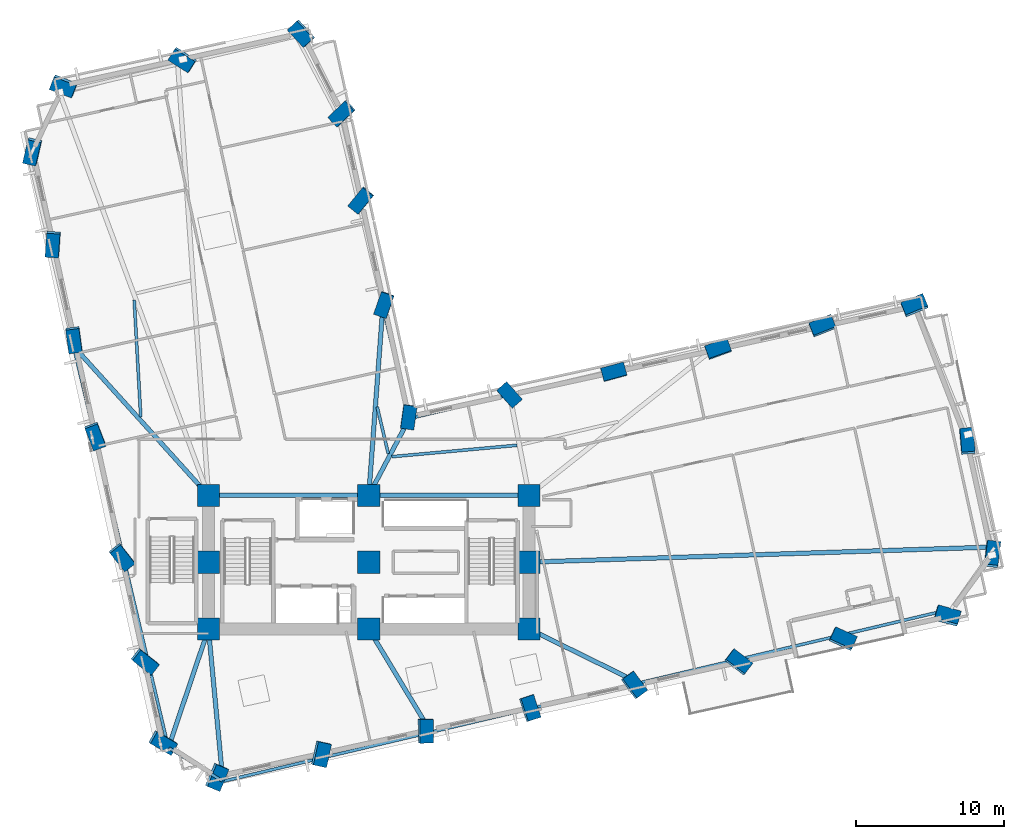
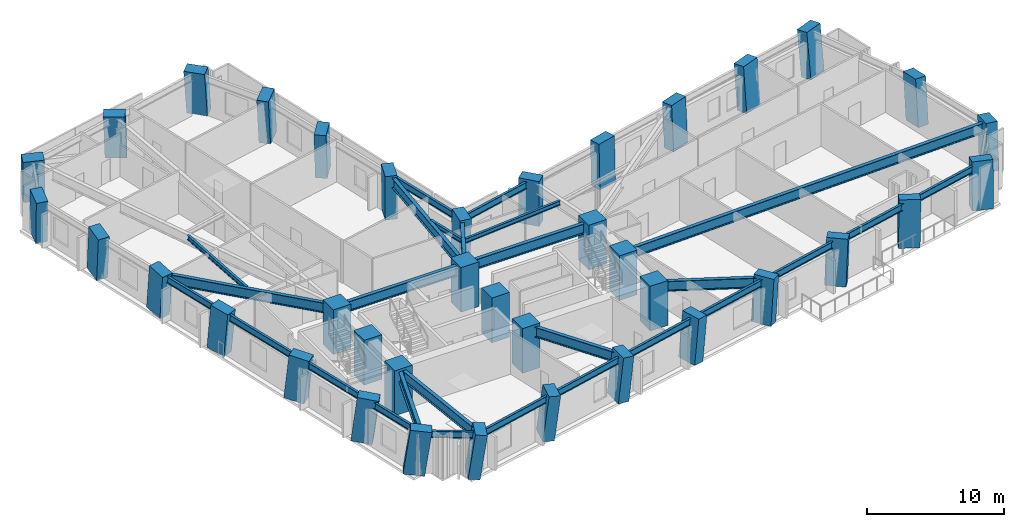
# One storey, part 1 of 14: 38 columns, 27 beams.
"""IFC4 building model written with IfcOpenShell, lengths in metres."""

from ifc_helpers import new_model, si_unit, direction, frame, origin, origin_2d, place, context, subcontext, project, spatial, rectangle, i_section, extrude, material, material_profile, profile_set, type_object, element, save


model = new_model("IFC4")

# Units and contexts
model_context = context("Model", 3, precision=1e-05, world=origin(), true_north=direction((0.0, 1.0)))
body_context = subcontext(model_context, "Body", "Model", "MODEL_VIEW")
ifc_project = project(units=[si_unit("LENGTHUNIT", "METRE"), si_unit("AREAUNIT", "SQUARE_METRE"), si_unit("VOLUMEUNIT", "CUBIC_METRE"), si_unit("PLANEANGLEUNIT", "RADIAN"), si_unit("MASSUNIT", "GRAM", prefix="KILO")], contexts=[model_context])

# Site, building, storey
site_placement = place(None, origin())
site = spatial("IfcSite", under=ifc_project, at=site_placement, CompositionType="ELEMENT")
building_placement = place(site_placement, origin())
building = spatial("IfcBuilding", under=site, at=building_placement, Name="Gaonmaruhae Medical Tower", CompositionType="ELEMENT")
storey_placement = place(building_placement, frame((0.0, 0.0, 75.0)))
storey = spatial("IfcBuildingStorey", under=building, at=storey_placement, Name="L17", CompositionType="ELEMENT", Elevation=75.0)

# Columns
ifc_material_1 = material(Name="Concrete C60/75", Category="concrete")
ifc_material_profile_1 = material_profile(ifc_material_1, rectangle(XDim=1.5, YDim=1.5, at=origin_2d()), Name="RC-1500x1500")
ifc_profile_set_1 = profile_set([ifc_material_profile_1], Name="Concrete C60/75")
column_type_1 = type_object("IfcColumnType", Name="CC-02 Zone 1 Core Column (RC-1500x1500)", PredefinedType="COLUMN", material=ifc_profile_set_1)
for number, where, z_axis, x_axis, name in (
    (1, (14.0, 7.800048828125, 0.0), (0.0, 0.0, 1.0), (1.0, 0.0, 0.0), "L17 Plumb Core Column CC11"),
    (2, (14.0, 12.300048828125, 0.0), (0.0, 0.0, 1.0), (1.0, 0.0, 0.0), "L17 Plumb Core Column CC12"),
    (3, (14.0, 16.800048828125, 0.0), (0.0, 0.0, 1.0), (1.0, 0.0, 0.0), "L17 Plumb Core Column CC13"),
    (4, (24.800048828125, 7.800048828125, 0.0), (0.0, 0.0, 1.0), (1.0, 0.0, 0.0), "L17 Plumb Core Column CC21"),
    (5, (24.800048828125, 12.300048828125, 0.0), (0.0, 0.0, 1.0), (1.0, 0.0, 0.0), "L17 Plumb Core Column CC22"),
    (6, (24.800048828125, 16.800048828125, 0.0), (0.0, 0.0, 1.0), (1.0, 0.0, 0.0), "L17 Plumb Core Column CC23"),
    (7, (35.60009765625, 7.800048828125, 0.0), (0.0, 0.0, 1.0), (1.0, 0.0, 0.0), "L17 Plumb Core Column CC31"),
    (8, (35.60009765625, 12.300048828125, 0.0), (0.0, 0.0, 1.0), (1.0, 0.0, 0.0), "L17 Plumb Core Column CC32"),
    (9, (35.60009765625, 16.800048828125, 0.0), (0.0, 0.0, 1.0), (1.0, 0.0, 0.0), "L17 Plumb Core Column CC33"),
):
    element("IfcColumn", number, at=place(storey_placement, frame(where, z_axis=z_axis, x_axis=x_axis)), inside=storey, type_object=column_type_1, Name=name, PredefinedType="COLUMN", context=body_context, shape_type="SweptSolid", body=[
        extrude(rectangle(XDim=1.5, YDim=1.5, at=origin_2d()), origin(), (0.0, 0.0, 1.0), 4.0),
    ])
ifc_material_profile_2 = material_profile(ifc_material_1, rectangle(XDim=1.60009765625, YDim=0.89990234375, at=origin_2d()), Name="RC-1600x900")
ifc_profile_set_2 = profile_set([ifc_material_profile_2], Name="Concrete C60/75")
column_type_2 = type_object("IfcColumnType", Name="TC-01 Lower Raking Tube Pier Column (RC-1600x900)", PredefinedType="COLUMN", material=ifc_profile_set_2)
column_1_placement = place(storey_placement, frame((14.523681640625, -2.154052734375, 0.001708984375), z_axis=(0.111362204381, -0.077408836632, 0.990760481371), x_axis=(0.383556166943, 0.923061878571, 0.029007501253)))
element("IfcColumn", 10, at=column_1_placement, inside=storey, type_object=column_type_2, Name="L17 Perimeter Tube Column S01", PredefinedType="COLUMN", context=body_context, shape_type="SweptSolid", body=[
    extrude(rectangle(XDim=1.60009765625, YDim=0.89990234375, at=origin_2d()), origin(), (0.0, 0.0, 1.0), 4.033935546875),
])
column_2_placement = place(storey_placement, frame((21.55712890625, -0.614013671875, 0.001708984375), z_axis=(0.10503105755, -0.048723246223, 0.99327464592), x_axis=(0.218362783121, 0.975553406611, 0.024763800118)))
element("IfcColumn", 11, at=column_2_placement, inside=storey, type_object=column_type_2, Name="L17 Perimeter Tube Column S02", PredefinedType="COLUMN", context=body_context, shape_type="SweptSolid", body=[
    extrude(rectangle(XDim=1.60009765625, YDim=0.89990234375, at=origin_2d()), origin(), (0.0, 0.0, 1.0), 4.023681640625),
])
column_3_placement = place(storey_placement, frame((28.590576171875, 0.926025390625, 0.001708984375), z_axis=(0.098581386043, -0.019874299159, 0.994930511422), x_axis=(-0.015548115674, 0.999647745462, 0.021509093243)))
element("IfcColumn", 12, at=column_3_placement, inside=storey, type_object=column_type_2, Name="L17 Perimeter Tube Column S03", PredefinedType="COLUMN", context=body_context, shape_type="SweptSolid", body=[
    extrude(rectangle(XDim=1.60009765625, YDim=0.89990234375, at=origin_2d()), origin(), (0.0, 0.0, 1.0), 4.016845703125),
])
column_4_placement = place(storey_placement, frame((35.623779296875, 2.466064453125, 0.001708984375), z_axis=(0.092149700508, 0.009123732724, 0.995703364561), x_axis=(-0.308175869476, 0.951123215459, 0.019805617589)))
element("IfcColumn", 13, at=column_4_placement, inside=storey, type_object=column_type_2, Name="L17 Perimeter Tube Column S04", PredefinedType="COLUMN", context=body_context, shape_type="SweptSolid", body=[
    extrude(rectangle(XDim=1.60009765625, YDim=0.89990234375, at=origin_2d()), origin(), (0.0, 0.0, 1.0), 4.013916015625),
])
column_5_placement = place(storey_placement, frame((42.6572265625, 4.006103515625, 0.001708984375), z_axis=(0.085511723194, 0.038072787141, 0.995609465642), x_axis=(-0.591862434469, 0.805790321678, 0.020020393494)))
element("IfcColumn", 14, at=column_5_placement, inside=storey, type_object=column_type_2, Name="L17 Perimeter Tube Column S05", PredefinedType="COLUMN", context=body_context, shape_type="SweptSolid", body=[
    extrude(rectangle(XDim=1.60009765625, YDim=0.89990234375, at=origin_2d()), origin(), (0.0, 0.0, 1.0), 4.01416015625),
])
column_6_placement = place(storey_placement, frame((49.690673828125, 5.546142578125, 0.001708984375), z_axis=(0.078805532139, 0.066957360383, 0.99463882892), x_axis=(-0.7946313064, 0.606689293141, 0.022117605581)))
element("IfcColumn", 15, at=column_6_placement, inside=storey, type_object=column_type_2, Name="L17 Perimeter Tube Column S06", PredefinedType="COLUMN", context=body_context, shape_type="SweptSolid", body=[
    extrude(rectangle(XDim=1.60009765625, YDim=0.89990234375, at=origin_2d()), origin(), (0.0, 0.0, 1.0), 4.01806640625),
])
column_7_placement = place(storey_placement, frame((56.723876953125, 7.0859375, 0.001708984375), z_axis=(0.072109110685, 0.095761384165, 0.992789017596), x_axis=(-0.908089915306, 0.417989639233, 0.025639173424)))
element("IfcColumn", 16, at=column_7_placement, inside=storey, type_object=column_type_2, Name="L17 Perimeter Tube Column S07", PredefinedType="COLUMN", context=body_context, shape_type="SweptSolid", body=[
    extrude(rectangle(XDim=1.60009765625, YDim=0.89990234375, at=origin_2d()), origin(), (0.0, 0.0, 1.0), 4.025634765625),
])
column_8_placement = place(storey_placement, frame((63.75732421875, 8.6259765625, 0.001708984375), z_axis=(0.065380495054, 0.124349951741, 0.990082057391), x_axis=(-0.96318041218, 0.26717144827, 0.030048474522)))
element("IfcColumn", 17, at=column_8_placement, inside=storey, type_object=column_type_2, Name="L17 Perimeter Tube Column S08", PredefinedType="COLUMN", context=body_context, shape_type="SweptSolid", body=[
    extrude(rectangle(XDim=1.60009765625, YDim=0.89990234375, at=origin_2d()), origin(), (0.0, 0.0, 1.0), 4.03662109375),
])
column_9_placement = place(storey_placement, frame((66.791015625, 12.770751953125, 0.001708984375), z_axis=(0.048233877518, 0.136541766055, 0.98945936712), x_axis=(-0.120274938327, -0.982610338592, 0.141459752942)))
element("IfcColumn", 18, at=column_9_placement, inside=storey, type_object=column_type_2, Name="L17 Perimeter Tube Column E01", PredefinedType="COLUMN", context=body_context, shape_type="SweptSolid", body=[
    extrude(rectangle(XDim=1.60009765625, YDim=0.89990234375, at=origin_2d()), origin(), (0.0, 0.0, 1.0), 4.0390625),
])
column_10_placement = place(storey_placement, frame((65.122802734375, 20.390380859375, 0.001708984375), z_axis=(0.017018126159, 0.129664797531, 0.99141183353), x_axis=(0.086036237759, -0.988067589993, 0.127750551458)))
element("IfcColumn", 19, at=column_10_placement, inside=storey, type_object=column_type_2, Name="L17 Perimeter Tube Column E02", PredefinedType="COLUMN", context=body_context, shape_type="SweptSolid", body=[
    extrude(rectangle(XDim=1.60009765625, YDim=0.89990234375, at=origin_2d()), origin(), (0.0, 0.0, 1.0), 4.03125),
])
column_11_placement = place(storey_placement, frame((61.582763671875, 29.544921875, 0.001708984375), z_axis=(-0.020506101485, 0.115028308919, 0.993150536399), x_axis=(-0.924417340075, -0.380562816939, 0.024990472814)))
element("IfcColumn", 20, at=column_11_placement, inside=storey, type_object=column_type_2, Name="L17 Perimeter Tube Column E03", PredefinedType="COLUMN", context=body_context, shape_type="SweptSolid", body=[
    extrude(rectangle(XDim=1.60009765625, YDim=0.89990234375, at=origin_2d()), origin(), (0.0, 0.0, 1.0), 4.024169921875),
])
column_12_placement = place(storey_placement, frame((55.379638671875, 28.186767578125, 0.001708984375), z_axis=(-0.014721816855, 0.089790916023, 0.995851826081), x_axis=(-0.929526427486, -0.368241610602, 0.019461161991)))
element("IfcColumn", 21, at=column_12_placement, inside=storey, type_object=column_type_2, Name="L17 Perimeter Tube Column EN01", PredefinedType="COLUMN", context=body_context, shape_type="SweptSolid", body=[
    extrude(rectangle(XDim=1.60009765625, YDim=0.89990234375, at=origin_2d()), origin(), (0.0, 0.0, 1.0), 4.01318359375),
])
column_13_placement = place(storey_placement, frame((48.34619140625, 26.646728515625, 0.001708984375), z_axis=(-0.008109234679, 0.060971689318, 0.998106554139), x_axis=(-0.940187690802, -0.340402754479, 0.01315563785)))
element("IfcColumn", 22, at=column_13_placement, inside=storey, type_object=column_type_2, Name="L17 Perimeter Tube Column EN02", PredefinedType="COLUMN", context=body_context, shape_type="SweptSolid", body=[
    extrude(rectangle(XDim=1.60009765625, YDim=0.89990234375, at=origin_2d()), origin(), (0.0, 0.0, 1.0), 4.004150390625),
])
column_14_placement = place(storey_placement, frame((41.31298828125, 25.106689453125, 0.001708984375), z_axis=(-0.001587456161, 0.031993347239, 0.999486821181), x_axis=(-0.965064978314, -0.261921072105, 0.00685124938)))
element("IfcColumn", 23, at=column_14_placement, inside=storey, type_object=column_type_2, Name="L17 Perimeter Tube Column EN03", PredefinedType="COLUMN", context=body_context, shape_type="SweptSolid", body=[
    extrude(rectangle(XDim=1.60009765625, YDim=0.89990234375, at=origin_2d()), origin(), (0.0, 0.0, 1.0), 3.99853515625),
])
column_15_placement = place(storey_placement, frame((34.279541015625, 23.56689453125, 0.001708984375), z_axis=(0.005070165271, 0.002809971114, 0.999983198602), x_axis=(-0.660600935116, 0.750736216887, 0.001239829666)))
element("IfcColumn", 24, at=column_15_placement, inside=storey, type_object=column_type_2, Name="L17 Perimeter Tube Column EN04", PredefinedType="COLUMN", context=body_context, shape_type="SweptSolid", body=[
    extrude(rectangle(XDim=1.60009765625, YDim=0.89990234375, at=origin_2d()), origin(), (0.0, 0.0, 1.0), 3.99658203125),
])
column_16_placement = place(storey_placement, frame((27.490234375, 22.080322265625, 0.001708984375), z_axis=(0.01148001296, -0.025219390173, 0.999616022111), x_axis=(0.142325742837, 0.989544874094, 0.023330775403)))
element("IfcColumn", 25, at=column_16_placement, inside=storey, type_object=column_type_2, Name="L17 Perimeter Tube Column KN01", PredefinedType="COLUMN", context=body_context, shape_type="SweptSolid", body=[
    extrude(rectangle(XDim=1.60009765625, YDim=0.89990234375, at=origin_2d()), origin(), (0.0, 0.0, 1.0), 3.998046875),
])
column_17_placement = place(storey_placement, frame((25.832763671875, 29.65087890625, 0.001708984375), z_axis=(-0.019839087734, -0.032352973844, 0.999279588344), x_axis=(0.32795379992, 0.943966042203, 0.037073120791)))
element("IfcColumn", 26, at=column_17_placement, inside=storey, type_object=column_type_2, Name="L17 Perimeter Tube Column NE01", PredefinedType="COLUMN", context=body_context, shape_type="SweptSolid", body=[
    extrude(rectangle(XDim=1.60009765625, YDim=0.89990234375, at=origin_2d()), origin(), (0.0, 0.0, 1.0), 3.99951171875),
])
column_18_placement = place(storey_placement, frame((24.292724609375, 36.684326171875, 0.001708984375), z_axis=(-0.04883551322, -0.038897699668, 0.998049127853), x_axis=(0.629354777465, 0.774721201746, 0.060988717377)))
element("IfcColumn", 27, at=column_18_placement, inside=storey, type_object=column_type_2, Name="L17 Perimeter Tube Column NE02", PredefinedType="COLUMN", context=body_context, shape_type="SweptSolid", body=[
    extrude(rectangle(XDim=1.60009765625, YDim=0.89990234375, at=origin_2d()), origin(), (0.0, 0.0, 1.0), 4.00439453125),
])
column_19_placement = place(storey_placement, frame((23.00927734375, 42.54541015625, 0.001708984375), z_axis=(-0.072915778442, -0.04430942129, 0.99635333313), x_axis=(0.720691851355, 0.688226889689, 0.083348687454)))
element("IfcColumn", 28, at=column_19_placement, inside=storey, type_object=column_type_2, Name="L17 Perimeter Tube Column NE03", PredefinedType="COLUMN", context=body_context, shape_type="SweptSolid", body=[
    extrude(rectangle(XDim=1.60009765625, YDim=0.89990234375, at=origin_2d()), origin(), (0.0, 0.0, 1.0), 4.01123046875),
])
column_20_placement = place(storey_placement, frame((20.292724609375, 47.939208984375, 0.001708984375), z_axis=(-0.094839992948, -0.05561679484, 0.993937698183), x_axis=(0.677535355313, -0.735114190103, 0.023515310132)))
element("IfcColumn", 29, at=column_20_placement, inside=storey, type_object=column_type_2, Name="L17 Perimeter Tube Column N01", PredefinedType="COLUMN", context=body_context, shape_type="SweptSolid", body=[
    extrude(rectangle(XDim=1.60009765625, YDim=0.89990234375, at=origin_2d()), origin(), (0.0, 0.0, 1.0), 4.02099609375),
])
column_21_placement = place(storey_placement, frame((12.282470703125, 46.185302734375, 0.001708984375), z_axis=(-0.087224395165, -0.088376072377, 0.992260840061), x_axis=(0.844339325102, -0.535150235142, 0.026558048014)))
element("IfcColumn", 30, at=column_21_placement, inside=storey, type_object=column_type_2, Name="L17 Perimeter Tube Column N02", PredefinedType="COLUMN", context=body_context, shape_type="SweptSolid", body=[
    extrude(rectangle(XDim=1.60009765625, YDim=0.89990234375, at=origin_2d()), origin(), (0.0, 0.0, 1.0), 4.02783203125),
])
column_22_placement = place(storey_placement, frame((4.272216796875, 44.431396484375, 0.001708984375), z_axis=(-0.079484110883, -0.120948825761, 0.989471403156), x_axis=(0.932582589558, -0.359626895734, 0.030954959493)))
element("IfcColumn", 31, at=column_22_placement, inside=storey, type_object=column_type_2, Name="L17 Perimeter Tube Column N03", PredefinedType="COLUMN", context=body_context, shape_type="SweptSolid", body=[
    extrude(rectangle(XDim=1.60009765625, YDim=0.89990234375, at=origin_2d()), origin(), (0.0, 0.0, 1.0), 4.0390625),
])
column_23_placement = place(storey_placement, frame((2.165283203125, 40.02880859375, 0.001708984375), z_axis=(-0.06142443746, -0.12943870138, 0.989683111439), x_axis=(0.221249744093, 0.965121885376, 0.139958197715)))
element("IfcColumn", 32, at=column_23_placement, inside=storey, type_object=column_type_2, Name="L17 Perimeter Tube Column W01", PredefinedType="COLUMN", context=body_context, shape_type="SweptSolid", body=[
    extrude(rectangle(XDim=1.60009765625, YDim=0.89990234375, at=origin_2d()), origin(), (0.0, 0.0, 1.0), 4.038330078125),
])
column_24_placement = place(storey_placement, frame((3.5341796875, 33.77685546875, 0.001708984375), z_axis=(-0.03586170814, -0.123880393827, 0.991648922711), x_axis=(0.06391871487, 0.989971135308, 0.125982336647)))
element("IfcColumn", 33, at=column_24_placement, inside=storey, type_object=column_type_2, Name="L17 Perimeter Tube Column W02", PredefinedType="COLUMN", context=body_context, shape_type="SweptSolid", body=[
    extrude(rectangle(XDim=1.60009765625, YDim=0.89990234375, at=origin_2d()), origin(), (0.0, 0.0, 1.0), 4.0302734375),
])
column_25_placement = place(storey_placement, frame((4.94580078125, 27.32958984375, 0.001708984375), z_axis=(-0.009462642807, -0.11797974525, 0.992970915033), x_axis=(-0.13564841396, 0.983987596197, 0.115619714235)))
element("IfcColumn", 34, at=column_25_placement, inside=storey, type_object=column_type_2, Name="L17 Perimeter Tube Column W03", PredefinedType="COLUMN", context=body_context, shape_type="SweptSolid", body=[
    extrude(rectangle(XDim=1.60009765625, YDim=0.89990234375, at=origin_2d()), origin(), (0.0, 0.0, 1.0), 4.02490234375),
])
column_26_placement = place(storey_placement, frame((6.3681640625, 20.83349609375, 0.001708984375), z_axis=(0.017237098088, -0.111980443564, 0.993560900352), x_axis=(-0.359053352407, 0.926731450356, 0.110677500183)))
element("IfcColumn", 35, at=column_26_placement, inside=storey, type_object=column_type_2, Name="L17 Perimeter Tube Column W04", PredefinedType="COLUMN", context=body_context, shape_type="SweptSolid", body=[
    extrude(rectangle(XDim=1.60009765625, YDim=0.89990234375, at=origin_2d()), origin(), (0.0, 0.0, 1.0), 4.0224609375),
])
column_27_placement = place(storey_placement, frame((8.154052734375, 12.6767578125, 0.001708984375), z_axis=(0.050784905492, -0.104300182247, 0.993248390564), x_axis=(-0.617055548665, 0.778717180354, 0.113322561226)))
element("IfcColumn", 36, at=column_27_placement, inside=storey, type_object=column_type_2, Name="L17 Perimeter Tube Column W05", PredefinedType="COLUMN", context=body_context, shape_type="SweptSolid", body=[
    extrude(rectangle(XDim=1.60009765625, YDim=0.89990234375, at=origin_2d()), origin(), (0.0, 0.0, 1.0), 4.023681640625),
])
column_28_placement = place(storey_placement, frame((9.694091796875, 5.6435546875, 0.001708984375), z_axis=(0.079628753568, -0.097687633753, 0.992026404798), x_axis=(-0.778064059235, 0.616002693059, 0.123113776118)))
element("IfcColumn", 37, at=column_28_placement, inside=storey, type_object=column_type_2, Name="L17 Perimeter Tube Column W06", PredefinedType="COLUMN", context=body_context, shape_type="SweptSolid", body=[
    extrude(rectangle(XDim=1.60009765625, YDim=0.89990234375, at=origin_2d()), origin(), (0.0, 0.0, 1.0), 4.02880859375),
])
column_29_placement = place(storey_placement, frame((10.891845703125, 0.173095703125, 0.001708984375), z_axis=(0.101893356585, -0.092393797806, 0.990495396259), x_axis=(-0.860446578039, 0.491506131497, 0.134362974967)))
element("IfcColumn", 38, at=column_29_placement, inside=storey, type_object=column_type_2, Name="L17 Perimeter Tube Column W07", PredefinedType="COLUMN", context=body_context, shape_type="SweptSolid", body=[
    extrude(rectangle(XDim=1.60009765625, YDim=0.89990234375, at=origin_2d()), origin(), (0.0, 0.0, 1.0), 4.034912109375),
])

# Beams
ifc_material_2 = material(Name="Steel SM355", Category="steel")
ifc_material_profile_3 = material_profile(ifc_material_2, i_section(OverallWidth=0.199951171875, OverallDepth=0.39990234375, WebThickness=0.008056640625, FlangeThickness=0.012939453125, FilletRadius=0.012939453125, at=origin_2d()), Name="H-400x200x8x13")
ifc_profile_set_3 = profile_set([ifc_material_profile_3], Name="Steel SM355")
beam_type_1 = type_object("IfcBeamType", Name="FJ-01 Lower Zone Ward Floor Joist (H-400x200x8x13)", PredefinedType="JOIST", material=ifc_profile_set_3)
beam_1_placement = place(storey_placement, frame((34.7939453125, 20.1748046875, 3.580078125), z_axis=(-0.9958837578, -0.090639621303, 0.0), x_axis=(0.090639621303, -0.9958837578, 0.0)))
element("IfcBeam", 39, at=beam_1_placement, inside=storey, type_object=beam_type_1, Name="L17 Secondary Floor Joist FJ06", PredefinedType="JOIST", context=body_context, shape_type="SweptSolid", body=[
    extrude(i_section(OverallWidth=0.199951171875, OverallDepth=0.39990234375, WebThickness=0.008056640625, FlangeThickness=0.012939453125, FilletRadius=0.012939453125, at=origin_2d()), origin(), (0.0, 0.0, 1.0), 8.4765625),
])
beam_2_placement = place(storey_placement, frame((26.1142578125, 19.617431640625, 3.580078125), z_axis=(-0.23003453614, 0.973182466027, 0.0), x_axis=(-0.973182466027, -0.23003453614, 0.0)))
element("IfcBeam", 40, at=beam_2_placement, inside=storey, type_object=beam_type_1, Name="L17 Secondary Floor Joist FJ07", PredefinedType="JOIST", context=body_context, shape_type="SweptSolid", body=[
    extrude(i_section(OverallWidth=0.199951171875, OverallDepth=0.39990234375, WebThickness=0.008056640625, FlangeThickness=0.012939453125, FilletRadius=0.012939453125, at=origin_2d()), origin(), (0.0, 0.0, 1.0), 3.240234375),
])
beam_3_placement = place(storey_placement, frame((8.997802734375, 29.97119140625, 3.580078125), z_axis=(0.055912644069, -0.998435664544, 0.0), x_axis=(0.998435664544, 0.055912644069, 0.0)))
element("IfcBeam", 41, at=beam_3_placement, inside=storey, type_object=beam_type_1, Name="L17 Secondary Floor Joist FJ10", PredefinedType="JOIST", context=body_context, shape_type="SweptSolid", body=[
    extrude(i_section(OverallWidth=0.199951171875, OverallDepth=0.39990234375, WebThickness=0.008056640625, FlangeThickness=0.012939453125, FilletRadius=0.012939453125, at=origin_2d()), origin(), (0.0, 0.0, 1.0), 7.912109375),
])
ifc_material_3 = material(Name="Steel SM420", Category="steel")
ifc_material_profile_4 = material_profile(ifc_material_3, i_section(OverallWidth=0.300048828125, OverallDepth=0.89990234375, WebThickness=0.01611328125, FlangeThickness=0.028076171875, FilletRadius=0.01806640625, at=origin_2d()), Name="H-900x300x16x28")
ifc_profile_set_4 = profile_set([ifc_material_profile_4], Name="Steel SM420")
beam_type_2 = type_object("IfcBeamType", Name="PG-01 Zone 1 Radial Floor Girder (H-900x300x16x28)", PredefinedType="BEAM", material=ifc_profile_set_4)
for number, where, z_axis, x_axis, name in (
    (42, (14.050048828125, 16.800048828125, 3.330078125), (1.0, 0.0, 0.0), (0.0, 1.0, 0.0), "L17 Beam BM-L17-CG-N1"),
    (43, (24.85009765625, 16.800048828125, 3.330078125), (1.0, 0.0, 0.0), (0.0, 1.0, 0.0), "L17 Beam BM-L17-CG-N2"),
):
    element("IfcBeam", number, at=place(storey_placement, frame(where, z_axis=z_axis, x_axis=x_axis)), inside=storey, type_object=beam_type_2, Name=name, PredefinedType="BEAM", context=body_context, shape_type="SweptSolid", body=[
        extrude(i_section(OverallWidth=0.300048828125, OverallDepth=0.89990234375, WebThickness=0.01611328125, FlangeThickness=0.028076171875, FilletRadius=0.01806640625, at=origin_2d()), origin(), (0.0, 0.0, 1.0), 10.699951171875),
    ])
beam_4_placement = place(storey_placement, frame((14.004638671875, 7.750244140625, 3.330078125), z_axis=(0.094356696732, -0.995538454195, 0.0), x_axis=(0.995538454195, 0.094356696732, 0.0)))
element("IfcBeam", 44, at=beam_4_placement, inside=storey, type_object=beam_type_2, Name="L17 Radial Primary Girder S01", PredefinedType="BEAM", context=body_context, shape_type="SweptSolid", body=[
    extrude(i_section(OverallWidth=0.300048828125, OverallDepth=0.89990234375, WebThickness=0.01611328125, FlangeThickness=0.028076171875, FilletRadius=0.01806640625, at=origin_2d()), origin(), (0.0, 0.0, 1.0), 10.212646484375),
])
beam_5_placement = place(storey_placement, frame((24.82568359375, 7.757080078125, 3.330078125), z_axis=(0.515825247824, -0.856693827284, 0.0), x_axis=(0.856693827284, 0.515825247824, 0.0)))
element("IfcBeam", 45, at=beam_5_placement, inside=storey, type_object=beam_type_2, Name="L17 Radial Primary Girder S03", PredefinedType="BEAM", context=body_context, shape_type="SweptSolid", body=[
    extrude(i_section(OverallWidth=0.300048828125, OverallDepth=0.89990234375, WebThickness=0.01611328125, FlangeThickness=0.028076171875, FilletRadius=0.01806640625, at=origin_2d()), origin(), (0.0, 0.0, 1.0), 8.016845703125),
])
beam_6_placement = place(storey_placement, frame((35.644775390625, 7.77783203125, 3.330078125), z_axis=(0.897297047984, -0.441427239394, 0.0), x_axis=(0.441427239394, 0.897297047984, 0.0)))
element("IfcBeam", 46, at=beam_6_placement, inside=storey, type_object=beam_type_2, Name="L17 Radial Primary Girder S05", PredefinedType="BEAM", context=body_context, shape_type="SweptSolid", body=[
    extrude(i_section(OverallWidth=0.300048828125, OverallDepth=0.89990234375, WebThickness=0.01611328125, FlangeThickness=0.028076171875, FilletRadius=0.01806640625, at=origin_2d()), origin(), (0.0, 0.0, 1.0), 8.14794921875),
])
beam_7_placement = place(storey_placement, frame((35.64990234375, 12.301513671875, 3.330078125), z_axis=(0.999469447499, 0.032570285787, 0.0), x_axis=(-0.032570285787, 0.999469447499, 0.0)))
element("IfcBeam", 47, at=beam_7_placement, inside=storey, type_object=beam_type_2, Name="L17 Radial Primary Girder E01", PredefinedType="BEAM", context=body_context, shape_type="SweptSolid", body=[
    extrude(i_section(OverallWidth=0.300048828125, OverallDepth=0.89990234375, WebThickness=0.01611328125, FlangeThickness=0.028076171875, FilletRadius=0.01806640625, at=origin_2d()), origin(), (0.0, 0.0, 1.0), 31.302490234375),
])
beam_8_placement = place(storey_placement, frame((24.8232421875, 16.84423828125, 3.330078125), z_axis=(0.467149179295, 0.884178513811, 0.0), x_axis=(-0.884178513811, 0.467149179295, 0.0)))
element("IfcBeam", 48, at=beam_8_placement, inside=storey, type_object=beam_type_2, Name="L17 Radial Primary Girder KN01", PredefinedType="BEAM", context=body_context, shape_type="SweptSolid", body=[
    extrude(i_section(OverallWidth=0.300048828125, OverallDepth=0.89990234375, WebThickness=0.01611328125, FlangeThickness=0.028076171875, FilletRadius=0.01806640625, at=origin_2d()), origin(), (0.0, 0.0, 1.0), 5.757568359375),
])
beam_9_placement = place(storey_placement, frame((24.8037109375, 16.849853515625, 3.330078125), z_axis=(0.074724253961, 0.997204234783, 0.0), x_axis=(-0.997204234783, 0.074724253961, 0.0)))
element("IfcBeam", 49, at=beam_9_placement, inside=storey, type_object=beam_type_2, Name="L17 Radial Primary Girder NE01", PredefinedType="BEAM", context=body_context, shape_type="SweptSolid", body=[
    extrude(i_section(OverallWidth=0.300048828125, OverallDepth=0.89990234375, WebThickness=0.01611328125, FlangeThickness=0.028076171875, FilletRadius=0.01806640625, at=origin_2d()), origin(), (0.0, 0.0, 1.0), 12.6572265625),
])
beam_10_placement = place(storey_placement, frame((13.966552734375, 16.837158203125, 3.330078125), z_axis=(-0.670726117113, 0.74170511379, 0.0), x_axis=(-0.74170511379, -0.670726117113, 0.0)))
element("IfcBeam", 50, at=beam_10_placement, inside=storey, type_object=beam_type_2, Name="L17 Radial Primary Girder W03", PredefinedType="BEAM", context=body_context, shape_type="SweptSolid", body=[
    extrude(i_section(OverallWidth=0.300048828125, OverallDepth=0.89990234375, WebThickness=0.01611328125, FlangeThickness=0.028076171875, FilletRadius=0.01806640625, at=origin_2d()), origin(), (0.0, 0.0, 1.0), 13.455810546875),
])
beam_11_placement = place(storey_placement, frame((13.984130859375, 7.752685546875, 3.330078125), z_axis=(-0.319456788658, -0.947600844333, 0.0), x_axis=(0.947600844333, -0.319456788658, 0.0)))
element("IfcBeam", 51, at=beam_11_placement, inside=storey, type_object=beam_type_2, Name="L17 Radial Primary Girder W07", PredefinedType="BEAM", context=body_context, shape_type="SweptSolid", body=[
    extrude(i_section(OverallWidth=0.300048828125, OverallDepth=0.89990234375, WebThickness=0.01611328125, FlangeThickness=0.028076171875, FilletRadius=0.01806640625, at=origin_2d()), origin(), (0.0, 0.0, 1.0), 8.342529296875),
])
ifc_material_profile_5 = material_profile(ifc_material_2, i_section(OverallWidth=0.199951171875, OverallDepth=0.60009765625, WebThickness=0.010986328125, FlangeThickness=0.01708984375, FilletRadius=0.012939453125, at=origin_2d()), Name="H-600x200x11x17")
ifc_profile_set_5 = profile_set([ifc_material_profile_5], Name="Steel SM355")
beam_type_3 = type_object("IfcBeamType", Name="SP-01 Lower Perimeter Spandrel Beam (H-600x200x11x17)", PredefinedType="SPANDREL", material=ifc_profile_set_5)
beam_12_placement = place(storey_placement, frame((15.011962890625, -2.457275390625, 3.47998046875), z_axis=(0.973178750773, 0.230050253301, 0.0), x_axis=(-0.230050253301, 0.973178750773, 0.0)))
element("IfcBeam", 52, at=beam_12_placement, inside=storey, type_object=beam_type_3, Name="L17 Perimeter Spandrel Beam S01-S02", PredefinedType="SPANDREL", context=body_context, shape_type="SweptSolid", body=[
    extrude(i_section(OverallWidth=0.199951171875, OverallDepth=0.60009765625, WebThickness=0.010986328125, FlangeThickness=0.01708984375, FilletRadius=0.012939453125, at=origin_2d()), origin(), (0.0, 0.0, 1.0), 7.119873046875),
])
for number, where, z_axis, x_axis, name in (
    (53, (22.018798828125, -0.80078125, 3.47998046875), (0.973180565405, 0.230042576749, 0.0), (-0.230042576749, 0.973180565405, 0.0), "L17 Perimeter Spandrel Beam S02-S03"),
    (54, (29.025634765625, 0.85546875, 3.47998046875), (0.973180565405, 0.230042576749, 0.0), (-0.230042576749, 0.973180565405, 0.0), "L17 Perimeter Spandrel Beam S03-S04"),
):
    element("IfcBeam", number, at=place(storey_placement, frame(where, z_axis=z_axis, x_axis=x_axis)), inside=storey, type_object=beam_type_3, Name=name, PredefinedType="SPANDREL", context=body_context, shape_type="SweptSolid", body=[
        extrude(i_section(OverallWidth=0.199951171875, OverallDepth=0.60009765625, WebThickness=0.010986328125, FlangeThickness=0.01708984375, FilletRadius=0.012939453125, at=origin_2d()), origin(), (0.0, 0.0, 1.0), 7.1201171875),
    ])
for number, where, z_axis, x_axis, name in (
    (55, (36.03271484375, 2.51171875, 3.47998046875), (0.973171073491, 0.230082727991, 0.0), (-0.230082727991, 0.973171073491, 0.0), "L17 Perimeter Spandrel Beam S04-S05"),
    (56, (43.03955078125, 4.168212890625, 3.47998046875), (0.973178750773, 0.230050253301, 0.0), (-0.230050253301, 0.973178750773, 0.0), "L17 Perimeter Spandrel Beam S05-S06"),
    (57, (50.04638671875, 5.824462890625, 3.4599609375), (0.973178750773, 0.230050253301, 0.0), (-0.230050253301, 0.973178750773, 0.0), "L17 Perimeter Spandrel Beam S06-S07"),
):
    element("IfcBeam", number, at=place(storey_placement, frame(where, z_axis=z_axis, x_axis=x_axis)), inside=storey, type_object=beam_type_3, Name=name, PredefinedType="SPANDREL", context=body_context, shape_type="SweptSolid", body=[
        extrude(i_section(OverallWidth=0.199951171875, OverallDepth=0.60009765625, WebThickness=0.010986328125, FlangeThickness=0.01708984375, FilletRadius=0.012939453125, at=origin_2d()), origin(), (0.0, 0.0, 1.0), 7.119873046875),
    ])
beam_13_placement = place(storey_placement, frame((57.05322265625, 7.48095703125, 3.4599609375), z_axis=(0.973180565405, 0.230042576749, 0.0), x_axis=(-0.230042576749, 0.973180565405, 0.0)))
element("IfcBeam", 58, at=beam_13_placement, inside=storey, type_object=beam_type_3, Name="L17 Perimeter Spandrel Beam S07-S08", PredefinedType="SPANDREL", context=body_context, shape_type="SweptSolid", body=[
    extrude(i_section(OverallWidth=0.199951171875, OverallDepth=0.60009765625, WebThickness=0.010986328125, FlangeThickness=0.01708984375, FilletRadius=0.012939453125, at=origin_2d()), origin(), (0.0, 0.0, 1.0), 7.1201171875),
])
beam_14_placement = place(storey_placement, frame((34.260986328125, 23.569091796875, 3.47998046875), z_axis=(-0.9731752104, -0.230065229583, 0.0), x_axis=(0.230065229583, -0.9731752104, 0.0)))
element("IfcBeam", 59, at=beam_14_placement, inside=storey, type_object=beam_type_3, Name="L17 Perimeter Spandrel Beam EN04-KN01", PredefinedType="SPANDREL", context=body_context, shape_type="SweptSolid", body=[
    extrude(i_section(OverallWidth=0.199951171875, OverallDepth=0.60009765625, WebThickness=0.010986328125, FlangeThickness=0.01708984375, FilletRadius=0.012939453125, at=origin_2d()), origin(), (0.0, 0.0, 1.0), 6.8701171875),
])
beam_15_placement = place(storey_placement, frame((27.527099609375, 22.018310546875, 3.47998046875), z_axis=(-0.230068206141, 0.973174506717, 0.0), x_axis=(-0.973174506717, -0.230068206141, 0.0)))
element("IfcBeam", 60, at=beam_15_placement, inside=storey, type_object=beam_type_3, Name="L17 Perimeter Spandrel Beam KN01-NE01", PredefinedType="SPANDREL", context=body_context, shape_type="SweptSolid", body=[
    extrude(i_section(OverallWidth=0.199951171875, OverallDepth=0.60009765625, WebThickness=0.010986328125, FlangeThickness=0.01708984375, FilletRadius=0.012939453125, at=origin_2d()), origin(), (0.0, 0.0, 1.0), 7.670166015625),
])
beam_16_placement = place(storey_placement, frame((4.9169921875, 26.8154296875, 3.47998046875), z_axis=(0.230064488044, -0.973175385704, 0.0), x_axis=(0.973175385704, 0.230064488044, 0.0)))
element("IfcBeam", 61, at=beam_16_placement, inside=storey, type_object=beam_type_3, Name="L17 Perimeter Spandrel Beam W03-W04", PredefinedType="SPANDREL", context=body_context, shape_type="SweptSolid", body=[
    extrude(i_section(OverallWidth=0.199951171875, OverallDepth=0.60009765625, WebThickness=0.010986328125, FlangeThickness=0.01708984375, FilletRadius=0.012939453125, at=origin_2d()), origin(), (0.0, 0.0, 1.0), 6.56982421875),
])
beam_17_placement = place(storey_placement, frame((6.44677734375, 20.343994140625, 3.47998046875), z_axis=(0.230054429168, -0.973177763628, 0.0), x_axis=(0.973177763628, 0.230054429168, 0.0)))
element("IfcBeam", 62, at=beam_17_placement, inside=storey, type_object=beam_type_3, Name="L17 Perimeter Spandrel Beam W04-W05", PredefinedType="SPANDREL", context=body_context, shape_type="SweptSolid", body=[
    extrude(i_section(OverallWidth=0.199951171875, OverallDepth=0.60009765625, WebThickness=0.010986328125, FlangeThickness=0.01708984375, FilletRadius=0.012939453125, at=origin_2d()), origin(), (0.0, 0.0, 1.0), 8.270263671875),
])
beam_18_placement = place(storey_placement, frame((8.36767578125, 12.2177734375, 3.47998046875), z_axis=(0.230050253301, -0.973178750773, 0.0), x_axis=(0.973178750773, 0.230050253301, 0.0)))
element("IfcBeam", 63, at=beam_18_placement, inside=storey, type_object=beam_type_3, Name="L17 Perimeter Spandrel Beam W05-W06", PredefinedType="SPANDREL", context=body_context, shape_type="SweptSolid", body=[
    extrude(i_section(OverallWidth=0.199951171875, OverallDepth=0.60009765625, WebThickness=0.010986328125, FlangeThickness=0.01708984375, FilletRadius=0.012939453125, at=origin_2d()), origin(), (0.0, 0.0, 1.0), 7.119873046875),
])
beam_19_placement = place(storey_placement, frame((10.024169921875, 5.2109375, 3.47998046875), z_axis=(0.230037639873, -0.973181732382, 0.0), x_axis=(0.973181732382, 0.230037639873, 0.0)))
element("IfcBeam", 64, at=beam_19_placement, inside=storey, type_object=beam_type_3, Name="L17 Perimeter Spandrel Beam W06-W07", PredefinedType="SPANDREL", context=body_context, shape_type="SweptSolid", body=[
    extrude(i_section(OverallWidth=0.199951171875, OverallDepth=0.60009765625, WebThickness=0.010986328125, FlangeThickness=0.01708984375, FilletRadius=0.012939453125, at=origin_2d()), origin(), (0.0, 0.0, 1.0), 5.519775390625),
])
beam_20_placement = place(storey_placement, frame((11.337158203125, -0.220947265625, 3.47998046875), z_axis=(0.850827572064, -0.525444994853, 0.0), x_axis=(0.525444994853, 0.850827572064, 0.0)))
element("IfcBeam", 65, at=beam_20_placement, inside=storey, type_object=beam_type_3, Name="L17 Perimeter Spandrel Beam W07-S01", PredefinedType="SPANDREL", context=body_context, shape_type="SweptSolid", body=[
    extrude(i_section(OverallWidth=0.199951171875, OverallDepth=0.60009765625, WebThickness=0.010986328125, FlangeThickness=0.01708984375, FilletRadius=0.012939453125, at=origin_2d()), origin(), (0.0, 0.0, 1.0), 4.2333984375),
])

save(model, "model.ifc")
